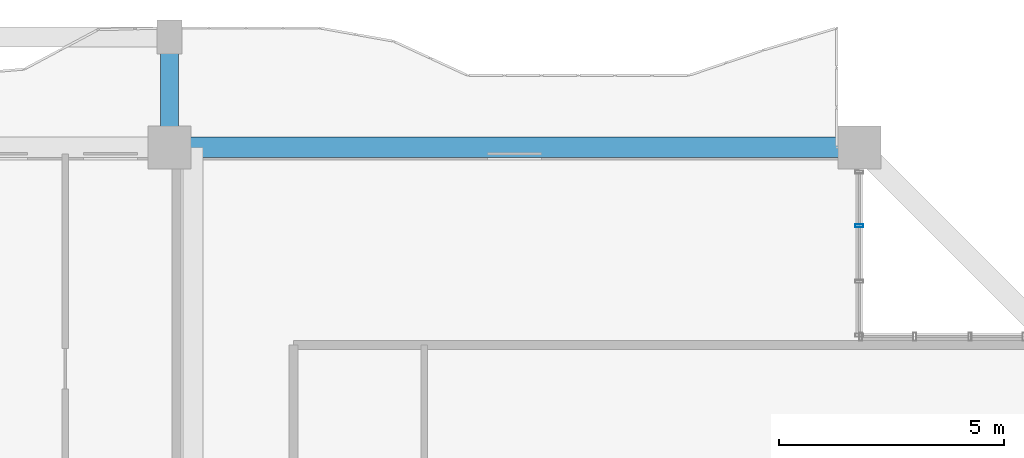
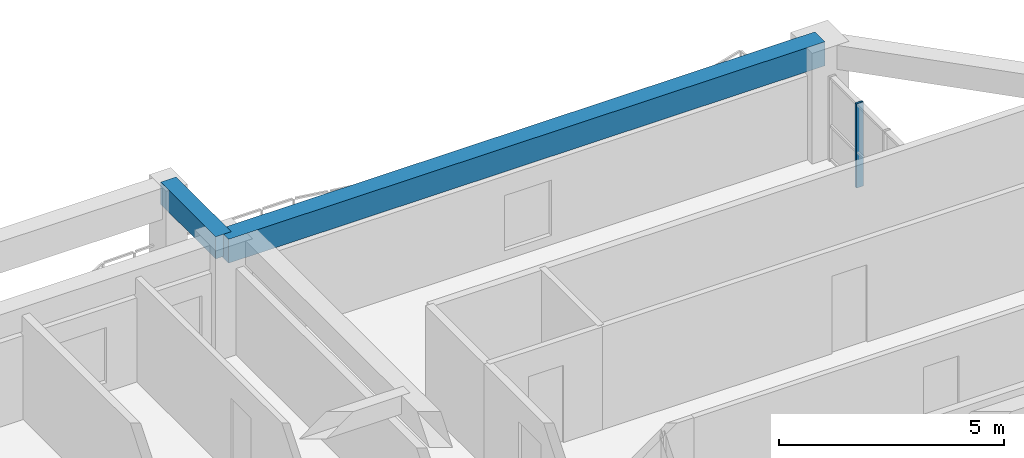
# One storey, part 11 of 24: 2 beams, 1 member, 1 element without a shape of its own.
"""IFC4 building model written with IfcOpenShell, lengths in metres."""

from ifc_helpers import new_model, si_unit, direction, frame, origin, origin_2d, place, context, subcontext, project, spatial, rectangle, hollow_rectangle, extrude, source, transform, mapped, material, layer, layer_set, material_profile, profile_set, type_object, element, aggregate, save


model = new_model("IFC4")

# Units and contexts
model_context = context("Model", 3, precision=1e-05, world=origin(), true_north=direction((0.0, 1.0)))
body_context = subcontext(model_context, "Body", "Model", "MODEL_VIEW")
ifc_project = project(units=[si_unit("LENGTHUNIT", "METRE"), si_unit("AREAUNIT", "SQUARE_METRE"), si_unit("VOLUMEUNIT", "CUBIC_METRE"), si_unit("PLANEANGLEUNIT", "RADIAN"), si_unit("MASSUNIT", "GRAM", prefix="KILO")], contexts=[model_context])

# Site, building, storey
site_placement = place(None, origin())
site = spatial("IfcSite", under=ifc_project, at=site_placement, CompositionType="ELEMENT")
building_placement = place(site_placement, origin())
building = spatial("IfcBuilding", under=site, at=building_placement, Name="Saelheon Loggia Tower", CompositionType="ELEMENT")
storey_placement = place(building_placement, frame((0.0, 0.0, 98.85009765625)))
storey = spatial("IfcBuildingStorey", under=building, at=storey_placement, Name="L31", CompositionType="ELEMENT", Elevation=98.85009765625)

# Beams
ifc_material_1 = material(Name="Precast Concrete C45/55", Category="concrete")
ifc_material_profile_1 = material_profile(ifc_material_1, rectangle(XDim=0.39990234375, YDim=0.60009765625, at=origin_2d()), Name="RC-400x600")
ifc_profile_set_1 = profile_set([ifc_material_profile_1], Name="Precast Concrete C45/55")
beam_type_1 = type_object("IfcBeamType", Name="Beam_LoggiaTie_RC400x600", PredefinedType="BEAM", material=ifc_profile_set_1)
shared_shape_1 = source(origin(), body_context, "Body", "SweptSolid", [
    extrude(rectangle(XDim=0.39990234375, YDim=0.60009765625, at=origin_2d()), origin(), (0.0, 0.0, 1.0), 2.449951171875),
])
beam_1_placement = place(storey_placement, frame((44.5, 51.0, 2.699951171875), z_axis=(0.0, 1.0, 0.0), x_axis=(-1.0, 0.0, 0.0)))
element("IfcBeam", 1, at=beam_1_placement, inside=storey, type_object=beam_type_1, Name="L31 Loggia Frame Tie Beam LP-N2", PredefinedType="BEAM", context=body_context, shape_type="MappedRepresentation", body=[
    mapped(shared_shape_1, transform((0.0, 0.0, 0.0), scale=1.0)),
])
ifc_material_2 = material(Name="Concrete C40/50", Category="concrete")
ifc_material_profile_2 = material_profile(ifc_material_2, rectangle(XDim=0.449951171875, YDim=0.64990234375, at=origin_2d()), Name="RC-450x650")
ifc_profile_set_2 = profile_set([ifc_material_profile_2], Name="Concrete C40/50")
beam_type_2 = type_object("IfcBeamType", Name="Beam_PerimTower_RC450x650", PredefinedType="BEAM", material=ifc_profile_set_2)
shared_shape_2 = source(origin(), body_context, "Body", "SweptSolid", [
    extrude(rectangle(XDim=0.449951171875, YDim=0.64990234375, at=origin_2d()), origin(), (0.0, 0.0, 1.0), 15.300048828125),
])
beam_2_placement = place(storey_placement, frame((59.800048828125, 51.0, 2.6748046875), z_axis=(-1.0, 0.0, 0.0), x_axis=(0.0, -1.0, 0.0)))
element("IfcBeam", 2, at=beam_2_placement, inside=storey, type_object=beam_type_2, Name="L31 Perimeter Frame Girder 09", PredefinedType="BEAM", context=body_context, shape_type="MappedRepresentation", body=[
    mapped(shared_shape_2, transform((0.0, 0.0, 0.0), scale=1.0)),
])

# Curtain wall, member
ifc_material_3 = material(Name="Thermal-Break Aluminium and Triple Low-E Glass", Category="aluminium")
ifc_layer = layer(ifc_material_3, 0.159912109375)
ifc_layer_set = layer_set([ifc_layer], Name="Thermal-Break Aluminium and Triple Low-E Glass")
curtain_wall_type = type_object("IfcCurtainWallType", Name="CW_TowerLoggiaLow", PredefinedType="NOTDEFINED", material=ifc_layer_set)
curtain_wall_placement = place(storey_placement, origin())
curtain_wall = element("IfcCurtainWall", 3, at=curtain_wall_placement, inside=storey, type_object=curtain_wall_type, Name="L31 Corner Notch Glazing NE1", PredefinedType="NOTDEFINED")
ifc_material_4 = material(Name="Anodised Aluminium 6063-T6", Category="aluminium")
ifc_material_profile_3 = material_profile(ifc_material_4, hollow_rectangle(XDim=0.06494140625, YDim=0.179931640625, WallThickness=0.00390625, at=origin_2d()), Name="RHS-180x65x4")
ifc_profile_set_3 = profile_set([ifc_material_profile_3], Name="Anodised Aluminium 6063-T6")
member_type = type_object("IfcMemberType", Name="CW_TowerLoggiaLow_Mullion", PredefinedType="MULLION", material=ifc_profile_set_3)
shared_shape_3 = source(origin(), body_context, "Body", "SweptSolid", [
    extrude(hollow_rectangle(XDim=0.06494140625, YDim=0.179931640625, WallThickness=0.00390625, at=origin_2d()), origin(), (0.0, 0.0, 1.0), 2.27978515625),
])
member_placement = place(storey_placement, frame((59.800048828125, 49.256591796875, 0.0), z_axis=(0.0, 0.0, 1.0), x_axis=(0.0, 1.0, 0.0)))
member = element("IfcMember", 4, at=member_placement, type_object=member_type, Name="CW3 mullion 3", PredefinedType="MULLION", context=body_context, shape_type="MappedRepresentation", body=[
    mapped(shared_shape_3, transform((0.0, 0.0, 0.0), scale=1.0)),
])
aggregate(curtain_wall, [member])

save(model, "model.ifc")
